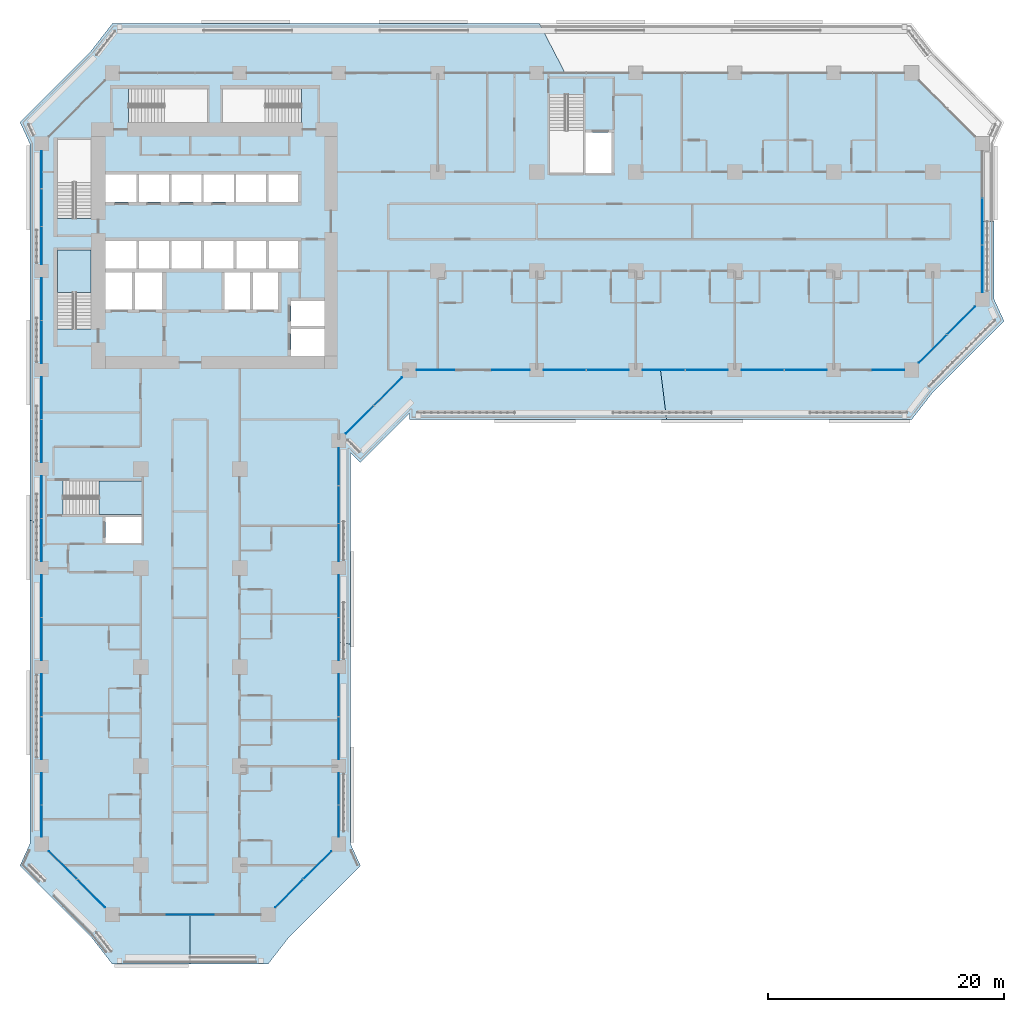
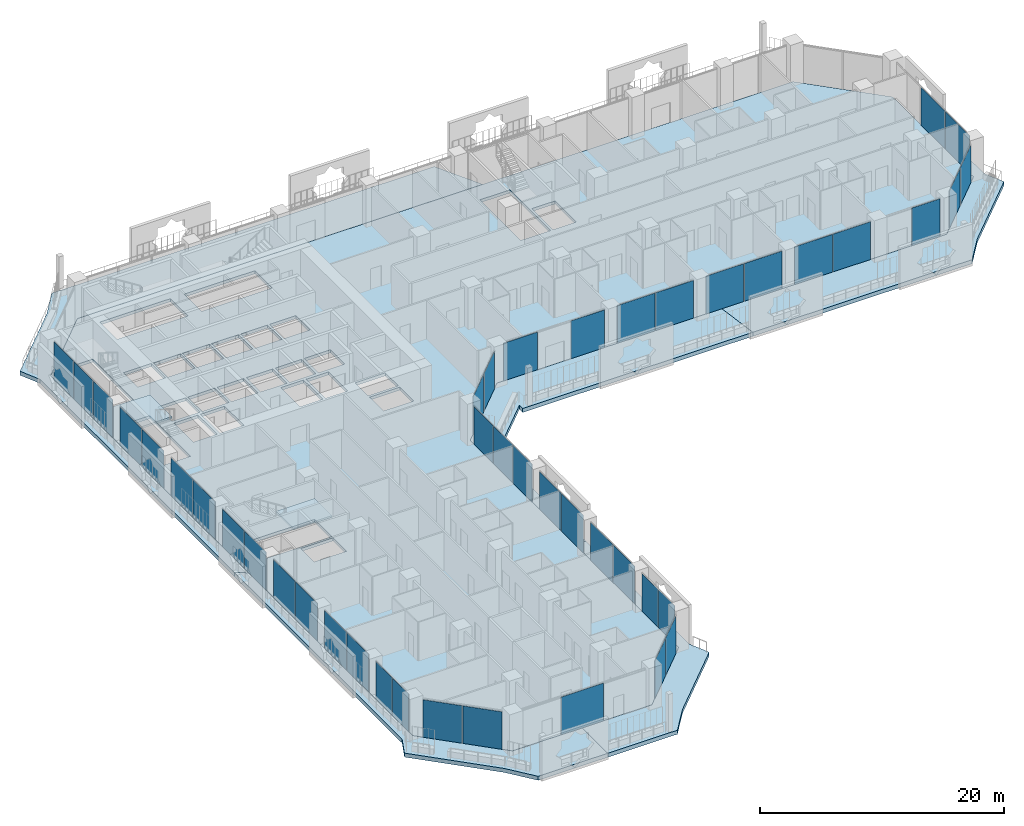
# One storey, part 11 of 29: 44 plates, 8 slabs, 11 elements without a shape of their own.
"""IFC4 building model written with IfcOpenShell, lengths in metres."""

from ifc_helpers import new_model, si_unit, direction, frame, origin, origin_2d, place, context, subcontext, project, spatial, polyline, rectangle, outline, extrude, material, layer, layer_set, type_object, element, aggregate, save


model = new_model("IFC4")

# Units and contexts
model_context = context("Model", 3, precision=1e-05, world=origin(), true_north=direction((0.0, 1.0)))
body_context = subcontext(model_context, "Body", "Model", "MODEL_VIEW")
ifc_project = project(units=[si_unit("LENGTHUNIT", "METRE"), si_unit("AREAUNIT", "SQUARE_METRE"), si_unit("VOLUMEUNIT", "CUBIC_METRE"), si_unit("PLANEANGLEUNIT", "RADIAN"), si_unit("MASSUNIT", "GRAM", prefix="KILO")], contexts=[model_context])

# Site, building, storey
site_placement = place(None, origin())
site = spatial("IfcSite", under=ifc_project, at=site_placement, CompositionType="ELEMENT")
building_placement = place(site_placement, origin())
building = spatial("IfcBuilding", under=site, at=building_placement, Name="Kawkab Arch Medical Tower", CompositionType="ELEMENT")
storey_placement = place(building_placement, frame((0.0, 0.0, 60.199951171875)))
storey = spatial("IfcBuildingStorey", under=building, at=storey_placement, Name="L13", CompositionType="ELEMENT", Elevation=60.199951171875)

# Curtain wall, plates
ifc_material_1 = material(Name="Bronze anodised aluminium curtain wall frame", Category="aluminium")
ifc_layer_1 = layer(ifc_material_1, 0.159912109375)
ifc_layer_set_1 = layer_set([ifc_layer_1], Name="Bronze anodised aluminium curtain wall frame")
curtain_wall_type_1 = type_object("IfcCurtainWallType", Name="CW1 ward curtain wall", PredefinedType="NOTDEFINED", material=ifc_layer_set_1)
placement_1 = place(storey_placement, origin())
curtain_wall_1 = element("IfcCurtainWall", 1, at=placement_1, inside=storey, type_object=curtain_wall_type_1, Name="CW1 Ward curtain wall R01", PredefinedType="NOTDEFINED")
ifc_material_2 = material(Name="Tinted insulating glass, bronze low-e coating", Category="glass")
ifc_layer_2 = layer(ifc_material_2, 0.031982421875)
ifc_layer_set_2 = layer_set([ifc_layer_2], Name="Tinted insulating glass, bronze low-e coating")
plate_type_1 = type_object("IfcPlateType", Name="CW1 glazing unit 32", PredefinedType="CURTAIN_PANEL", material=ifc_layer_set_2)
plate_1_placement = place(storey_placement, frame((0.0, -8.205810546875, 0.0), z_axis=(0.0, 0.0, 1.0), x_axis=(0.0, -1.0, 0.0)))
plate_1 = element("IfcPlate", 2, at=plate_1_placement, type_object=plate_type_1, Name="CW1 glazing unit 1.1", PredefinedType="CURTAIN_PANEL", context=body_context, shape_type="SweptSolid", body=[
    extrude(rectangle(XDim=3.16162109375, YDim=0.031982421875, at=origin_2d()), origin(), (0.0, 0.0, 1.0), 3.780029296875),
])
plate_2_placement = place(storey_placement, frame((0.0, -11.41259765625, 0.0), z_axis=(0.0, 0.0, 1.0), x_axis=(0.0, -1.0, 0.0)))
plate_2 = element("IfcPlate", 3, at=plate_2_placement, type_object=plate_type_1, Name="CW1 glazing unit 1.2", PredefinedType="CURTAIN_PANEL", context=body_context, shape_type="SweptSolid", body=[
    extrude(rectangle(XDim=3.131591796875, YDim=0.031982421875, at=origin_2d()), origin(), (0.0, 0.0, 1.0), 3.780029296875),
])
plate_3_placement = place(storey_placement, frame((0.0, -14.619140625, 0.0), z_axis=(0.0, 0.0, 1.0), x_axis=(0.0, -1.0, 0.0)))
plate_3 = element("IfcPlate", 4, at=plate_3_placement, type_object=plate_type_1, Name="CW1 glazing unit 1.3", PredefinedType="CURTAIN_PANEL", context=body_context, shape_type="SweptSolid", body=[
    extrude(rectangle(XDim=3.16162109375, YDim=0.031982421875, at=origin_2d()), origin(), (0.0, 0.0, 1.0), 3.780029296875),
])
plate_4_placement = place(storey_placement, frame((0.0, -19.18505859375, 0.0), z_axis=(0.0, 0.0, 1.0), x_axis=(0.0, -1.0, 0.0)))
plate_4 = element("IfcPlate", 5, at=plate_4_placement, type_object=plate_type_1, Name="CW1 glazing unit 2.1", PredefinedType="CURTAIN_PANEL", context=body_context, shape_type="SweptSolid", body=[
    extrude(rectangle(XDim=3.570068359375, YDim=0.031982421875, at=origin_2d()), origin(), (0.0, 0.0, 1.0), 3.780029296875),
])
plate_5_placement = place(storey_placement, frame((0.0, -22.81494140625, 0.0), z_axis=(0.0, 0.0, 1.0), x_axis=(0.0, -1.0, 0.0)))
plate_5 = element("IfcPlate", 6, at=plate_5_placement, type_object=plate_type_1, Name="CW1 glazing unit 2.2", PredefinedType="CURTAIN_PANEL", context=body_context, shape_type="SweptSolid", body=[
    extrude(rectangle(XDim=3.570068359375, YDim=0.031982421875, at=origin_2d()), origin(), (0.0, 0.0, 1.0), 3.780029296875),
])
plate_6_placement = place(storey_placement, frame((0.0, -27.5849609375, 0.0), z_axis=(0.0, 0.0, 1.0), x_axis=(0.0, -1.0, 0.0)))
plate_6 = element("IfcPlate", 7, at=plate_6_placement, type_object=plate_type_1, Name="CW1 glazing unit 3.1", PredefinedType="CURTAIN_PANEL", context=body_context, shape_type="SweptSolid", body=[
    extrude(rectangle(XDim=3.570068359375, YDim=0.031982421875, at=origin_2d()), origin(), (0.0, 0.0, 1.0), 3.780029296875),
])
plate_7_placement = place(storey_placement, frame((0.0, -31.215087890625, 0.0), z_axis=(0.0, 0.0, 1.0), x_axis=(0.0, -1.0, 0.0)))
plate_7 = element("IfcPlate", 8, at=plate_7_placement, type_object=plate_type_1, Name="CW1 glazing unit 3.2", PredefinedType="CURTAIN_PANEL", context=body_context, shape_type="SweptSolid", body=[
    extrude(rectangle(XDim=3.570068359375, YDim=0.031982421875, at=origin_2d()), origin(), (0.0, 0.0, 1.0), 3.780029296875),
])
plate_8_placement = place(storey_placement, frame((0.0, -35.985107421875, 0.0), z_axis=(0.0, 0.0, 1.0), x_axis=(0.0, -1.0, 0.0)))
plate_8 = element("IfcPlate", 9, at=plate_8_placement, type_object=plate_type_1, Name="CW1 glazing unit 4.1", PredefinedType="CURTAIN_PANEL", context=body_context, shape_type="SweptSolid", body=[
    extrude(rectangle(XDim=3.570068359375, YDim=0.031982421875, at=origin_2d()), origin(), (0.0, 0.0, 1.0), 3.780029296875),
])
plate_9_placement = place(storey_placement, frame((0.0, -39.614990234375, 0.0), z_axis=(0.0, 0.0, 1.0), x_axis=(0.0, -1.0, 0.0)))
plate_9 = element("IfcPlate", 10, at=plate_9_placement, type_object=plate_type_1, Name="CW1 glazing unit 4.2", PredefinedType="CURTAIN_PANEL", context=body_context, shape_type="SweptSolid", body=[
    extrude(rectangle(XDim=3.570068359375, YDim=0.031982421875, at=origin_2d()), origin(), (0.0, 0.0, 1.0), 3.780029296875),
])
plate_10_placement = place(storey_placement, frame((0.0, -44.385009765625, 0.0), z_axis=(0.0, 0.0, 1.0), x_axis=(0.0, -1.0, 0.0)))
plate_10 = element("IfcPlate", 11, at=plate_10_placement, type_object=plate_type_1, Name="CW1 glazing unit 5.1", PredefinedType="CURTAIN_PANEL", context=body_context, shape_type="SweptSolid", body=[
    extrude(rectangle(XDim=3.570068359375, YDim=0.031982421875, at=origin_2d()), origin(), (0.0, 0.0, 1.0), 3.780029296875),
])
plate_11_placement = place(storey_placement, frame((0.0, -48.014892578125, 0.0), z_axis=(0.0, 0.0, 1.0), x_axis=(0.0, -1.0, 0.0)))
plate_11 = element("IfcPlate", 12, at=plate_11_placement, type_object=plate_type_1, Name="CW1 glazing unit 5.2", PredefinedType="CURTAIN_PANEL", context=body_context, shape_type="SweptSolid", body=[
    extrude(rectangle(XDim=3.570068359375, YDim=0.031982421875, at=origin_2d()), origin(), (0.0, 0.0, 1.0), 3.780029296875),
])
plate_12_placement = place(storey_placement, frame((0.0, -52.784912109375, 0.0), z_axis=(0.0, 0.0, 1.0), x_axis=(0.0, -1.0, 0.0)))
plate_12 = element("IfcPlate", 13, at=plate_12_placement, type_object=plate_type_1, Name="CW1 glazing unit 6.1", PredefinedType="CURTAIN_PANEL", context=body_context, shape_type="SweptSolid", body=[
    extrude(rectangle(XDim=3.570068359375, YDim=0.031982421875, at=origin_2d()), origin(), (0.0, 0.0, 1.0), 3.780029296875),
])
plate_13_placement = place(storey_placement, frame((0.0, -56.4150390625, 0.0), z_axis=(0.0, 0.0, 1.0), x_axis=(0.0, -1.0, 0.0)))
plate_13 = element("IfcPlate", 14, at=plate_13_placement, type_object=plate_type_1, Name="CW1 glazing unit 6.2", PredefinedType="CURTAIN_PANEL", context=body_context, shape_type="SweptSolid", body=[
    extrude(rectangle(XDim=3.570068359375, YDim=0.031982421875, at=origin_2d()), origin(), (0.0, 0.0, 1.0), 3.780029296875),
])
plate_14_placement = place(storey_placement, frame((0.0, -60.728759765625, 0.0), z_axis=(0.0, 0.0, 1.0), x_axis=(0.0, -1.0, 0.0)))
plate_14 = element("IfcPlate", 15, at=plate_14_placement, type_object=plate_type_1, Name="CW1 glazing unit 7.1", PredefinedType="CURTAIN_PANEL", context=body_context, shape_type="SweptSolid", body=[
    extrude(rectangle(XDim=2.657470703125, YDim=0.031982421875, at=origin_2d()), origin(), (0.0, 0.0, 1.0), 3.780029296875),
])
plate_15_placement = place(storey_placement, frame((0.0, -63.4462890625, 0.0), z_axis=(0.0, 0.0, 1.0), x_axis=(0.0, -1.0, 0.0)))
plate_15 = element("IfcPlate", 16, at=plate_15_placement, type_object=plate_type_1, Name="CW1 glazing unit 7.2", PredefinedType="CURTAIN_PANEL", context=body_context, shape_type="SweptSolid", body=[
    extrude(rectangle(XDim=2.657470703125, YDim=0.031982421875, at=origin_2d()), origin(), (0.0, 0.0, 1.0), 3.780029296875),
])
aggregate(curtain_wall_1, [plate_1, plate_2, plate_3, plate_4, plate_5, plate_6, plate_7, plate_8, plate_9, plate_10, plate_11, plate_12, plate_13, plate_14, plate_15])

# Curtain wall, plate
curtain_wall_2 = element("IfcCurtainWall", 17, at=placement_1, inside=storey, type_object=curtain_wall_type_1, Name="CW1 Ward curtain wall R03", PredefinedType="NOTDEFINED")
plate_16_placement = place(storey_placement, frame((12.60009765625, -71.39990234375, 0.0), z_axis=(0.0, 0.0, 1.0), x_axis=(1.0, 0.0, 0.0)))
plate_16 = element("IfcPlate", 18, at=plate_16_placement, type_object=plate_type_1, Name="CW1 glazing unit 1.2", PredefinedType="CURTAIN_PANEL", context=body_context, shape_type="SweptSolid", body=[
    extrude(rectangle(XDim=3.9833984375, YDim=0.031982421875, at=origin_2d()), origin(), (0.0, 0.0, 1.0), 3.780029296875),
])
aggregate(curtain_wall_2, [plate_16])

# Curtain wall, plates
curtain_wall_3 = element("IfcCurtainWall", 19, at=placement_1, inside=storey, type_object=curtain_wall_type_1, Name="CW1 Ward curtain wall R05", PredefinedType="NOTDEFINED")
plate_17_placement = place(storey_placement, frame((25.199951171875, -63.4462890625, 0.0), z_axis=(0.0, 0.0, 1.0), x_axis=(0.0, 1.0, 0.0)))
plate_17 = element("IfcPlate", 20, at=plate_17_placement, type_object=plate_type_1, Name="CW1 glazing unit 1.1", PredefinedType="CURTAIN_PANEL", context=body_context, shape_type="SweptSolid", body=[
    extrude(rectangle(XDim=2.657470703125, YDim=0.031982421875, at=origin_2d()), origin(), (0.0, 0.0, 1.0), 3.780029296875),
])
plate_18_placement = place(storey_placement, frame((25.199951171875, -60.728759765625, 0.0), z_axis=(0.0, 0.0, 1.0), x_axis=(0.0, 1.0, 0.0)))
plate_18 = element("IfcPlate", 21, at=plate_18_placement, type_object=plate_type_1, Name="CW1 glazing unit 1.2", PredefinedType="CURTAIN_PANEL", context=body_context, shape_type="SweptSolid", body=[
    extrude(rectangle(XDim=2.657470703125, YDim=0.031982421875, at=origin_2d()), origin(), (0.0, 0.0, 1.0), 3.780029296875),
])
plate_19_placement = place(storey_placement, frame((25.199951171875, -56.4150390625, 0.0), z_axis=(0.0, 0.0, 1.0), x_axis=(0.0, 1.0, 0.0)))
plate_19 = element("IfcPlate", 22, at=plate_19_placement, type_object=plate_type_1, Name="CW1 glazing unit 2.1", PredefinedType="CURTAIN_PANEL", context=body_context, shape_type="SweptSolid", body=[
    extrude(rectangle(XDim=3.570068359375, YDim=0.031982421875, at=origin_2d()), origin(), (0.0, 0.0, 1.0), 3.780029296875),
])
plate_20_placement = place(storey_placement, frame((25.199951171875, -52.784912109375, 0.0), z_axis=(0.0, 0.0, 1.0), x_axis=(0.0, 1.0, 0.0)))
plate_20 = element("IfcPlate", 23, at=plate_20_placement, type_object=plate_type_1, Name="CW1 glazing unit 2.2", PredefinedType="CURTAIN_PANEL", context=body_context, shape_type="SweptSolid", body=[
    extrude(rectangle(XDim=3.570068359375, YDim=0.031982421875, at=origin_2d()), origin(), (0.0, 0.0, 1.0), 3.780029296875),
])
plate_21_placement = place(storey_placement, frame((25.199951171875, -48.014892578125, 0.0), z_axis=(0.0, 0.0, 1.0), x_axis=(0.0, 1.0, 0.0)))
plate_21 = element("IfcPlate", 24, at=plate_21_placement, type_object=plate_type_1, Name="CW1 glazing unit 3.1", PredefinedType="CURTAIN_PANEL", context=body_context, shape_type="SweptSolid", body=[
    extrude(rectangle(XDim=3.570068359375, YDim=0.031982421875, at=origin_2d()), origin(), (0.0, 0.0, 1.0), 3.780029296875),
])
plate_22_placement = place(storey_placement, frame((25.199951171875, -44.385009765625, 0.0), z_axis=(0.0, 0.0, 1.0), x_axis=(0.0, 1.0, 0.0)))
plate_22 = element("IfcPlate", 25, at=plate_22_placement, type_object=plate_type_1, Name="CW1 glazing unit 3.2", PredefinedType="CURTAIN_PANEL", context=body_context, shape_type="SweptSolid", body=[
    extrude(rectangle(XDim=3.570068359375, YDim=0.031982421875, at=origin_2d()), origin(), (0.0, 0.0, 1.0), 3.780029296875),
])
plate_23_placement = place(storey_placement, frame((25.199951171875, -39.819091796875, 0.0), z_axis=(0.0, 0.0, 1.0), x_axis=(0.0, 1.0, 0.0)))
plate_23 = element("IfcPlate", 26, at=plate_23_placement, type_object=plate_type_1, Name="CW1 glazing unit 4.1", PredefinedType="CURTAIN_PANEL", context=body_context, shape_type="SweptSolid", body=[
    extrude(rectangle(XDim=3.16162109375, YDim=0.031982421875, at=origin_2d()), origin(), (0.0, 0.0, 1.0), 3.780029296875),
])
plate_24_placement = place(storey_placement, frame((25.199951171875, -36.612548828125, 0.0), z_axis=(0.0, 0.0, 1.0), x_axis=(0.0, 1.0, 0.0)))
plate_24 = element("IfcPlate", 27, at=plate_24_placement, type_object=plate_type_1, Name="CW1 glazing unit 4.2", PredefinedType="CURTAIN_PANEL", context=body_context, shape_type="SweptSolid", body=[
    extrude(rectangle(XDim=3.131591796875, YDim=0.031982421875, at=origin_2d()), origin(), (0.0, 0.0, 1.0), 3.780029296875),
])
plate_25_placement = place(storey_placement, frame((25.199951171875, -33.40576171875, 0.0), z_axis=(0.0, 0.0, 1.0), x_axis=(0.0, 1.0, 0.0)))
plate_25 = element("IfcPlate", 28, at=plate_25_placement, type_object=plate_type_1, Name="CW1 glazing unit 4.3", PredefinedType="CURTAIN_PANEL", context=body_context, shape_type="SweptSolid", body=[
    extrude(rectangle(XDim=3.16162109375, YDim=0.031982421875, at=origin_2d()), origin(), (0.0, 0.0, 1.0), 3.780029296875),
])
aggregate(curtain_wall_3, [plate_17, plate_18, plate_19, plate_20, plate_21, plate_22, plate_23, plate_24, plate_25])

curtain_wall_4 = element("IfcCurtainWall", 29, at=placement_1, inside=storey, type_object=curtain_wall_type_1, Name="CW1 Ward curtain wall R07", PredefinedType="NOTDEFINED")
plate_26_placement = place(storey_placement, frame((33.4208984375, -25.199951171875, 0.0), z_axis=(0.0, 0.0, 1.0), x_axis=(1.0, 0.0, 0.0)))
plate_26 = element("IfcPlate", 30, at=plate_26_placement, type_object=plate_type_1, Name="CW1 glazing unit 1.1", PredefinedType="CURTAIN_PANEL", context=body_context, shape_type="SweptSolid", body=[
    extrude(rectangle(XDim=3.191650390625, YDim=0.031982421875, at=origin_2d()), origin(), (0.0, 0.0, 1.0), 3.780029296875),
])
plate_27_placement = place(storey_placement, frame((39.80419921875, -25.199951171875, 0.0), z_axis=(0.0, 0.0, 1.0), x_axis=(1.0, 0.0, 0.0)))
plate_27 = element("IfcPlate", 31, at=plate_27_placement, type_object=plate_type_1, Name="CW1 glazing unit 1.3", PredefinedType="CURTAIN_PANEL", context=body_context, shape_type="SweptSolid", body=[
    extrude(rectangle(XDim=3.191650390625, YDim=0.031982421875, at=origin_2d()), origin(), (0.0, 0.0, 1.0), 3.780029296875),
])
plate_28_placement = place(storey_placement, frame((44.385009765625, -25.199951171875, 0.0), z_axis=(0.0, 0.0, 1.0), x_axis=(1.0, 0.0, 0.0)))
plate_28 = element("IfcPlate", 32, at=plate_28_placement, type_object=plate_type_1, Name="CW1 glazing unit 2.1", PredefinedType="CURTAIN_PANEL", context=body_context, shape_type="SweptSolid", body=[
    extrude(rectangle(XDim=3.570068359375, YDim=0.031982421875, at=origin_2d()), origin(), (0.0, 0.0, 1.0), 3.780029296875),
])
plate_29_placement = place(storey_placement, frame((48.014892578125, -25.199951171875, 0.0), z_axis=(0.0, 0.0, 1.0), x_axis=(1.0, 0.0, 0.0)))
plate_29 = element("IfcPlate", 33, at=plate_29_placement, type_object=plate_type_1, Name="CW1 glazing unit 2.2", PredefinedType="CURTAIN_PANEL", context=body_context, shape_type="SweptSolid", body=[
    extrude(rectangle(XDim=3.570068359375, YDim=0.031982421875, at=origin_2d()), origin(), (0.0, 0.0, 1.0), 3.780029296875),
])
plate_30_placement = place(storey_placement, frame((52.784912109375, -25.199951171875, 0.0), z_axis=(0.0, 0.0, 1.0), x_axis=(1.0, 0.0, 0.0)))
plate_30 = element("IfcPlate", 34, at=plate_30_placement, type_object=plate_type_1, Name="CW1 glazing unit 3.1", PredefinedType="CURTAIN_PANEL", context=body_context, shape_type="SweptSolid", body=[
    extrude(rectangle(XDim=3.570068359375, YDim=0.031982421875, at=origin_2d()), origin(), (0.0, 0.0, 1.0), 3.780029296875),
])
plate_31_placement = place(storey_placement, frame((56.4150390625, -25.199951171875, 0.0), z_axis=(0.0, 0.0, 1.0), x_axis=(1.0, 0.0, 0.0)))
plate_31 = element("IfcPlate", 35, at=plate_31_placement, type_object=plate_type_1, Name="CW1 glazing unit 3.2", PredefinedType="CURTAIN_PANEL", context=body_context, shape_type="SweptSolid", body=[
    extrude(rectangle(XDim=3.570068359375, YDim=0.031982421875, at=origin_2d()), origin(), (0.0, 0.0, 1.0), 3.780029296875),
])
plate_32_placement = place(storey_placement, frame((61.18505859375, -25.199951171875, 0.0), z_axis=(0.0, 0.0, 1.0), x_axis=(1.0, 0.0, 0.0)))
plate_32 = element("IfcPlate", 36, at=plate_32_placement, type_object=plate_type_1, Name="CW1 glazing unit 4.1", PredefinedType="CURTAIN_PANEL", context=body_context, shape_type="SweptSolid", body=[
    extrude(rectangle(XDim=3.570068359375, YDim=0.031982421875, at=origin_2d()), origin(), (0.0, 0.0, 1.0), 3.780029296875),
])
plate_33_placement = place(storey_placement, frame((64.81494140625, -25.199951171875, 0.0), z_axis=(0.0, 0.0, 1.0), x_axis=(1.0, 0.0, 0.0)))
plate_33 = element("IfcPlate", 37, at=plate_33_placement, type_object=plate_type_1, Name="CW1 glazing unit 4.2", PredefinedType="CURTAIN_PANEL", context=body_context, shape_type="SweptSolid", body=[
    extrude(rectangle(XDim=3.570068359375, YDim=0.031982421875, at=origin_2d()), origin(), (0.0, 0.0, 1.0), 3.780029296875),
])
plate_34_placement = place(storey_placement, frame((71.831298828125, -25.199951171875, 0.0), z_axis=(0.0, 0.0, 1.0), x_axis=(1.0, 0.0, 0.0)))
plate_34 = element("IfcPlate", 38, at=plate_34_placement, type_object=plate_type_1, Name="CW1 glazing unit 5.2", PredefinedType="CURTAIN_PANEL", context=body_context, shape_type="SweptSolid", body=[
    extrude(rectangle(XDim=2.6875, YDim=0.031982421875, at=origin_2d()), origin(), (0.0, 0.0, 1.0), 3.780029296875),
])
aggregate(curtain_wall_4, [plate_26, plate_27, plate_28, plate_29, plate_30, plate_31, plate_32, plate_33, plate_34])

curtain_wall_5 = element("IfcCurtainWall", 39, at=placement_1, inside=storey, type_object=curtain_wall_type_1, Name="CW1 Ward curtain wall R09", PredefinedType="NOTDEFINED")
plate_35_placement = place(storey_placement, frame((79.800048828125, -16.598388671875, 0.0), z_axis=(0.0, 0.0, 1.0), x_axis=(0.0, 1.0, 0.0)))
plate_35 = element("IfcPlate", 40, at=plate_35_placement, type_object=plate_type_1, Name="CW1 glazing unit 1.1", PredefinedType="CURTAIN_PANEL", context=body_context, shape_type="SweptSolid", body=[
    extrude(rectangle(XDim=3.953369140625, YDim=0.031982421875, at=origin_2d()), origin(), (0.0, 0.0, 1.0), 3.780029296875),
])
plate_36_placement = place(storey_placement, frame((79.800048828125, -12.60009765625, 0.0), z_axis=(0.0, 0.0, 1.0), x_axis=(0.0, 1.0, 0.0)))
plate_36 = element("IfcPlate", 41, at=plate_36_placement, type_object=plate_type_1, Name="CW1 glazing unit 1.2", PredefinedType="CURTAIN_PANEL", context=body_context, shape_type="SweptSolid", body=[
    extrude(rectangle(XDim=3.92333984375, YDim=0.031982421875, at=origin_2d()), origin(), (0.0, 0.0, 1.0), 3.780029296875),
])
aggregate(curtain_wall_5, [plate_35, plate_36])

ifc_material_3 = material(Name="Bronze anodised aluminium curtain wall frame", Category="aluminium")
ifc_layer_3 = layer(ifc_material_3, 0.159912109375)
ifc_layer_set_3 = layer_set([ifc_layer_3], Name="Bronze anodised aluminium curtain wall frame")
curtain_wall_type_2 = type_object("IfcCurtainWallType", Name="CW2 chamfer curtain wall", PredefinedType="NOTDEFINED", material=ifc_layer_set_3)
curtain_wall_6 = element("IfcCurtainWall", 42, at=placement_1, inside=storey, type_object=curtain_wall_type_2, Name="CW2 Chamfer curtain wall R02", PredefinedType="NOTDEFINED")
ifc_material_4 = material(Name="Tinted insulating glass, bronze low-e coating", Category="glass")
ifc_layer_4 = layer(ifc_material_4, 0.031982421875)
ifc_layer_set_4 = layer_set([ifc_layer_4], Name="Tinted insulating glass, bronze low-e coating")
plate_type_2 = type_object("IfcPlateType", Name="CW2 glazing unit 32", PredefinedType="CURTAIN_PANEL", material=ifc_layer_set_4)
plate_37_placement = place(storey_placement, frame((1.802001953125, -67.201904296875, 0.0), z_axis=(0.0, 0.0, 1.0), x_axis=(0.707106781187, -0.707106781187, 0.0)))
plate_37 = element("IfcPlate", 43, at=plate_37_placement, type_object=plate_type_2, Name="CW2 glazing unit 1.1", PredefinedType="CURTAIN_PANEL", context=body_context, shape_type="SweptSolid", body=[
    extrude(rectangle(XDim=3.328857421875, YDim=0.031982421875, at=origin_2d()), origin(), (0.0, 0.0, 1.0), 3.760009765625),
])
plate_38_placement = place(storey_placement, frame((4.197998046875, -69.59814453125, 0.0), z_axis=(0.0, 0.0, 1.0), x_axis=(0.707106781187, -0.707106781187, 0.0)))
plate_38 = element("IfcPlate", 44, at=plate_38_placement, type_object=plate_type_2, Name="CW2 glazing unit 1.2", PredefinedType="CURTAIN_PANEL", context=body_context, shape_type="SweptSolid", body=[
    extrude(rectangle(XDim=3.328857421875, YDim=0.031982421875, at=origin_2d()), origin(), (0.0, 0.0, 1.0), 3.760009765625),
])
aggregate(curtain_wall_6, [plate_37, plate_38])

curtain_wall_7 = element("IfcCurtainWall", 45, at=placement_1, inside=storey, type_object=curtain_wall_type_2, Name="CW2 Chamfer curtain wall R04", PredefinedType="NOTDEFINED")
plate_39_placement = place(storey_placement, frame((21.001953125, -69.59814453125, 0.0), z_axis=(0.0, 0.0, 1.0), x_axis=(0.707106781187, 0.707106781187, 0.0)))
plate_39 = element("IfcPlate", 46, at=plate_39_placement, type_object=plate_type_2, Name="CW2 glazing unit 1.1", PredefinedType="CURTAIN_PANEL", context=body_context, shape_type="SweptSolid", body=[
    extrude(rectangle(XDim=3.328857421875, YDim=0.031982421875, at=origin_2d()), origin(), (0.0, 0.0, 1.0), 3.760009765625),
])
plate_40_placement = place(storey_placement, frame((23.398193359375, -67.201904296875, 0.0), z_axis=(0.0, 0.0, 1.0), x_axis=(0.707106781187, 0.707106781187, 0.0)))
plate_40 = element("IfcPlate", 47, at=plate_40_placement, type_object=plate_type_2, Name="CW2 glazing unit 1.2", PredefinedType="CURTAIN_PANEL", context=body_context, shape_type="SweptSolid", body=[
    extrude(rectangle(XDim=3.328857421875, YDim=0.031982421875, at=origin_2d()), origin(), (0.0, 0.0, 1.0), 3.760009765625),
])
aggregate(curtain_wall_7, [plate_39, plate_40])

curtain_wall_8 = element("IfcCurtainWall", 48, at=placement_1, inside=storey, type_object=curtain_wall_type_2, Name="CW2 Chamfer curtain wall R06", PredefinedType="NOTDEFINED")
plate_41_placement = place(storey_placement, frame((27.001953125, -29.398193359375, 0.0), z_axis=(0.0, 0.0, 1.0), x_axis=(0.707106781187, 0.707106781187, 0.0)))
plate_41 = element("IfcPlate", 49, at=plate_41_placement, type_object=plate_type_2, Name="CW2 glazing unit 1.1", PredefinedType="CURTAIN_PANEL", context=body_context, shape_type="SweptSolid", body=[
    extrude(rectangle(XDim=3.328857421875, YDim=0.031982421875, at=origin_2d()), origin(), (0.0, 0.0, 1.0), 3.760009765625),
])
plate_42_placement = place(storey_placement, frame((29.398193359375, -27.001953125, 0.0), z_axis=(0.0, 0.0, 1.0), x_axis=(0.707106781187, 0.707106781187, 0.0)))
plate_42 = element("IfcPlate", 50, at=plate_42_placement, type_object=plate_type_2, Name="CW2 glazing unit 1.2", PredefinedType="CURTAIN_PANEL", context=body_context, shape_type="SweptSolid", body=[
    extrude(rectangle(XDim=3.328857421875, YDim=0.031982421875, at=origin_2d()), origin(), (0.0, 0.0, 1.0), 3.760009765625),
])
aggregate(curtain_wall_8, [plate_41, plate_42])

curtain_wall_9 = element("IfcCurtainWall", 51, at=placement_1, inside=storey, type_object=curtain_wall_type_2, Name="CW2 Chamfer curtain wall R08", PredefinedType="NOTDEFINED")
plate_43_placement = place(storey_placement, frame((75.601806640625, -23.398193359375, 0.0), z_axis=(0.0, 0.0, 1.0), x_axis=(0.707106781187, 0.707106781187, 0.0)))
plate_43 = element("IfcPlate", 52, at=plate_43_placement, type_object=plate_type_2, Name="CW2 glazing unit 1.1", PredefinedType="CURTAIN_PANEL", context=body_context, shape_type="SweptSolid", body=[
    extrude(rectangle(XDim=3.328857421875, YDim=0.031982421875, at=origin_2d()), origin(), (0.0, 0.0, 1.0), 3.760009765625),
])
plate_44_placement = place(storey_placement, frame((77.998046875, -21.001953125, 0.0), z_axis=(0.0, 0.0, 1.0), x_axis=(0.707106781187, 0.707106781187, 0.0)))
plate_44 = element("IfcPlate", 53, at=plate_44_placement, type_object=plate_type_2, Name="CW2 glazing unit 1.2", PredefinedType="CURTAIN_PANEL", context=body_context, shape_type="SweptSolid", body=[
    extrude(rectangle(XDim=3.328857421875, YDim=0.031982421875, at=origin_2d()), origin(), (0.0, 0.0, 1.0), 3.760009765625),
])
aggregate(curtain_wall_9, [plate_43, plate_44])

# Stair, slab
ifc_material_5 = material(Name="Concrete C40/50", Category="concrete")
stair_type = type_object("IfcStairType", Name="Exit stair 1350", PredefinedType="HALF_TURN_STAIR", material=ifc_material_5)
stair_1 = element("IfcStair", 54, at=placement_1, inside=storey, type_object=stair_type, Name="L13 Exit stair ST2", PredefinedType="HALF_TURN_STAIR")
ifc_material_6 = material(Name="Concrete C40/50", Category="concrete")
ifc_layer_5 = layer(ifc_material_6, 0.199951171875)
ifc_layer_set_5 = layer_set([ifc_layer_5], Name="Concrete C40/50")
slab_type_1 = type_object("IfcSlabType", Name="Exit stair landing 200", PredefinedType="LANDING", material=ifc_layer_set_5)
placement_2 = place(storey_placement, frame((0.0, 0.0, 1.900146484375)))
slab_1 = element("IfcSlab", 55, at=placement_2, type_object=slab_type_1, Name="ST2 landing 1", PredefinedType="LANDING", context=body_context, shape_type="SweptSolid", body=[
    extrude(outline(polyline([(4.199951171875, -18.6201171875), (4.199951171875, -15.0), (1.35009765625, -15.0), (1.35009765625, -18.6201171875), (4.199951171875, -18.6201171875)])), origin(), (0.0, 0.0, 1.0), 0.199951171875),
])
aggregate(stair_1, [slab_1])

stair_2 = element("IfcStair", 56, at=placement_1, inside=storey, type_object=stair_type, Name="L13 Exit stair ST6", PredefinedType="HALF_TURN_STAIR")
slab_2 = element("IfcSlab", 57, at=placement_2, type_object=slab_type_1, Name="ST6 landing 1", PredefinedType="LANDING", context=body_context, shape_type="SweptSolid", body=[
    extrude(outline(polyline([(4.8798828125, -37.449951171875), (8.5, -37.449951171875), (8.5, -34.60009765625), (4.8798828125, -34.60009765625), (4.8798828125, -37.449951171875)])), origin(), (0.0, 0.0, 1.0), 0.199951171875),
])
aggregate(stair_2, [slab_2])

# Slabs
ifc_material_7 = material(Name="Concrete C40/50", Category="concrete")
ifc_layer_6 = layer(ifc_material_7, 0.300048828125)
ifc_layer_set_6 = layer_set([ifc_layer_6], Name="Concrete C40/50")
slab_type_2 = type_object("IfcSlabType", Name="Flat plate 300 C40/50", PredefinedType="FLOOR", material=ifc_layer_set_6)
slab_3_placement = place(storey_placement, frame((0.0, 0.0, -0.300048828125)))
element("IfcSlab", 58, at=slab_3_placement, inside=storey, type_object=slab_type_2, Name="Floor slab L13", PredefinedType="FLOOR", context=body_context, shape_type="SweptSolid", body=[
    extrude(outline(polyline([(6.0, 0.0), (73.800048828125, 0.0), (79.800048828125, -6.0), (79.800048828125, -19.199951171875), (73.800048828125, -25.199951171875), (31.199951171875, -25.199951171875), (25.199951171875, -31.199951171875), (25.199951171875, -65.39990234375), (19.199951171875, -71.39990234375), (6.0, -71.39990234375), (0.0, -65.39990234375), (0.0, -6.0), (6.0, 0.0)]), holes=[polyline([(5.425048828125, -37.64990234375), (5.425048828125, -39.85009765625), (8.5, -39.85009765625), (8.5, -37.64990234375), (5.425048828125, -37.64990234375)]), polyline([(1.800048828125, -37.449951171875), (8.5, -37.449951171875), (8.5, -34.60009765625), (1.800048828125, -34.60009765625), (1.800048828125, -37.449951171875)]), polyline([(5.39990234375, -16.89990234375), (5.39990234375, -20.050048828125), (7.675048828125, -20.050048828125), (7.675048828125, -16.89990234375), (5.39990234375, -16.89990234375)]), polyline([(10.199951171875, -16.89990234375), (7.925048828125, -16.89990234375), (7.925048828125, -20.050048828125), (10.199951171875, -20.050048828125), (10.199951171875, -16.89990234375)]), polyline([(4.199951171875, -21.699951171875), (4.199951171875, -15.0), (1.35009765625, -15.0), (1.35009765625, -21.699951171875), (4.199951171875, -21.699951171875)]), polyline([(5.39990234375, -14.25), (5.39990234375, -16.60009765625), (8.050048828125, -16.60009765625), (8.050048828125, -14.25), (5.39990234375, -14.25)]), polyline([(8.25, -16.60009765625), (10.800048828125, -16.60009765625), (10.800048828125, -14.25), (8.25, -14.25), (8.25, -16.60009765625)]), polyline([(13.52490234375, -16.60009765625), (13.52490234375, -14.25), (11.0, -14.25), (11.0, -16.60009765625), (13.52490234375, -16.60009765625)]), polyline([(5.39990234375, -8.60009765625), (5.39990234375, -10.949951171875), (8.050048828125, -10.949951171875), (8.050048828125, -8.60009765625), (5.39990234375, -8.60009765625)]), polyline([(8.25, -10.949951171875), (10.800048828125, -10.949951171875), (10.800048828125, -8.60009765625), (8.25, -8.60009765625), (8.25, -10.949951171875)]), polyline([(13.550048828125, -8.60009765625), (11.0, -8.60009765625), (11.0, -10.949951171875), (13.550048828125, -10.949951171875), (13.550048828125, -8.60009765625)]), polyline([(4.199951171875, -12.35009765625), (4.199951171875, -5.64990234375), (1.35009765625, -5.64990234375), (1.35009765625, -12.35009765625), (4.199951171875, -12.35009765625)]), polyline([(7.35009765625, -4.199951171875), (14.050048828125, -4.199951171875), (14.050048828125, -1.35009765625), (7.35009765625, -1.35009765625), (7.35009765625, -4.199951171875)]), polyline([(24.0, -21.72509765625), (21.14990234375, -21.72509765625), (21.14990234375, -24.0), (24.0, -24.0), (24.0, -21.72509765625)]), polyline([(24.0, -21.47509765625), (24.0, -19.35009765625), (21.14990234375, -19.35009765625), (21.14990234375, -21.47509765625), (24.0, -21.47509765625)]), polyline([(17.675048828125, -20.050048828125), (17.675048828125, -16.89990234375), (15.52490234375, -16.89990234375), (15.52490234375, -20.050048828125), (17.675048828125, -20.050048828125)]), polyline([(20.050048828125, -16.89990234375), (17.925048828125, -16.89990234375), (17.925048828125, -20.050048828125), (20.050048828125, -20.050048828125), (20.050048828125, -16.89990234375)]), polyline([(13.77490234375, -16.60009765625), (16.27490234375, -16.60009765625), (16.27490234375, -14.25), (13.77490234375, -14.25), (13.77490234375, -16.60009765625)]), polyline([(16.52490234375, -16.60009765625), (19.02490234375, -16.60009765625), (19.02490234375, -14.25), (16.52490234375, -14.25), (16.52490234375, -16.60009765625)]), polyline([(21.75, -14.25), (19.27490234375, -14.25), (19.27490234375, -16.60009765625), (21.75, -16.60009765625), (21.75, -14.25)]), polyline([(16.300048828125, -10.949951171875), (16.300048828125, -8.60009765625), (13.75, -8.60009765625), (13.75, -10.949951171875), (16.300048828125, -10.949951171875)]), polyline([(19.050048828125, -10.949951171875), (19.050048828125, -8.60009765625), (16.5, -8.60009765625), (16.5, -10.949951171875), (19.050048828125, -10.949951171875)]), polyline([(21.75, -8.60009765625), (19.25, -8.60009765625), (19.25, -10.949951171875), (21.75, -10.949951171875), (21.75, -8.60009765625)]), polyline([(46.14990234375, -5.02490234375), (46.14990234375, -8.5), (48.35009765625, -8.5), (48.35009765625, -5.02490234375), (46.14990234375, -5.02490234375)]), polyline([(43.10009765625, -1.800048828125), (43.10009765625, -8.5), (45.949951171875, -8.5), (45.949951171875, -1.800048828125), (43.10009765625, -1.800048828125)]), polyline([(22.050048828125, -1.35009765625), (15.35009765625, -1.35009765625), (15.35009765625, -4.199951171875), (22.050048828125, -4.199951171875), (22.050048828125, -1.35009765625)])]), origin(), (0.0, 0.0, 1.0), 0.300048828125),
])
ifc_material_8 = material(Name="Concrete C40/50", Category="concrete")
ifc_layer_7 = layer(ifc_material_8, 0.39990234375)
ifc_layer_set_7 = layer_set([ifc_layer_7], Name="Concrete C40/50")
slab_type_3 = type_object("IfcSlabType", Name="Loggia slab 400", PredefinedType="FLOOR", material=ifc_layer_set_7)
placement_3 = place(storey_placement, frame((0.0, 0.0, -0.39990234375)))
element("IfcSlab", 59, at=placement_3, inside=storey, type_object=slab_type_3, Name="Loggia slab L13.1", PredefinedType="FLOOR", context=body_context, shape_type="SweptSolid", body=[
    extrude(outline(polyline([(12.60009765625, -75.60009765625), (12.60009765625, -71.40087890625), (19.199951171875, -71.40087890625), (19.199951171875, -71.39990234375), (25.199951171875, -65.39990234375), (25.199951171875, -48.300048828125), (26.199951171875, -48.449951171875), (26.199951171875, -65.39990234375), (27.0380859375, -67.238037109375), (21.0380859375, -73.238037109375), (19.199951171875, -75.60009765625), (12.60009765625, -75.60009765625)])), origin(), (0.0, 0.0, 1.0), 0.39990234375),
])
element("IfcSlab", 60, at=placement_3, inside=storey, type_object=slab_type_3, Name="Loggia slab L13.2", PredefinedType="FLOOR", context=body_context, shape_type="SweptSolid", body=[
    extrude(outline(polyline([(4.162109375, -73.238037109375), (-1.837890625, -67.238037109375), (-1.0, -65.39990234375), (-1.0, -37.89501953125), (-0.0009765625, -38.52001953125), (-0.0009765625, -65.39990234375), (0.0, -65.39990234375), (6.0, -71.39990234375), (6.0, -71.40087890625), (12.60009765625, -71.40087890625), (12.60009765625, -75.60009765625), (6.0, -75.60009765625), (4.162109375, -73.238037109375)])), origin(), (0.0, 0.0, 1.0), 0.39990234375),
])
element("IfcSlab", 61, at=placement_3, inside=storey, type_object=slab_type_3, Name="Loggia slab L13.3", PredefinedType="FLOOR", context=body_context, shape_type="SweptSolid", body=[
    extrude(outline(polyline([(31.199951171875, -28.8759765625), (27.0380859375, -33.037109375), (26.199951171875, -32.198974609375), (26.199951171875, -48.448974609375), (25.199951171875, -48.300048828125), (25.199951171875, -31.199951171875), (31.199951171875, -25.199951171875), (52.5, -25.199951171875), (53.01806640625, -29.39990234375), (31.199951171875, -29.39990234375), (31.199951171875, -28.8759765625)])), origin(), (0.0, 0.0, 1.0), 0.39990234375),
])
element("IfcSlab", 62, at=placement_3, inside=storey, type_object=slab_type_3, Name="Loggia slab L13.4", PredefinedType="FLOOR", context=body_context, shape_type="SweptSolid", body=[
    extrude(outline(polyline([(81.637939453125, -21.0380859375), (75.637939453125, -27.0380859375), (73.800048828125, -29.39990234375), (53.01904296875, -29.39990234375), (52.5, -25.199951171875), (73.800048828125, -25.199951171875), (79.800048828125, -19.199951171875), (79.800048828125, -12.60009765625), (80.800048828125, -12.60009765625), (80.800048828125, -19.199951171875), (81.637939453125, -21.0380859375)])), origin(), (0.0, 0.0, 1.0), 0.39990234375),
])
element("IfcSlab", 63, at=placement_3, inside=storey, type_object=slab_type_3, Name="Loggia slab L13.5", PredefinedType="FLOOR", context=body_context, shape_type="SweptSolid", body=[
    extrude(outline(polyline([(4.162109375, 1.837890625), (6.0, 4.199951171875), (35.39990234375, 4.199951171875), (42.23291015625, 4.199951171875), (44.409912109375, 0.0009765625), (31.200927734375, 0.0009765625), (6.0, 0.0009765625), (6.0, 0.0), (0.0, -6.0), (-0.0009765625, -6.0), (-0.0009765625, -38.52001953125), (-1.0, -37.89404296875), (-1.0, -6.0), (-1.837890625, -4.162109375), (4.162109375, 1.837890625)])), origin(), (0.0, 0.0, 1.0), 0.39990234375),
])

save(model, "model.ifc")
